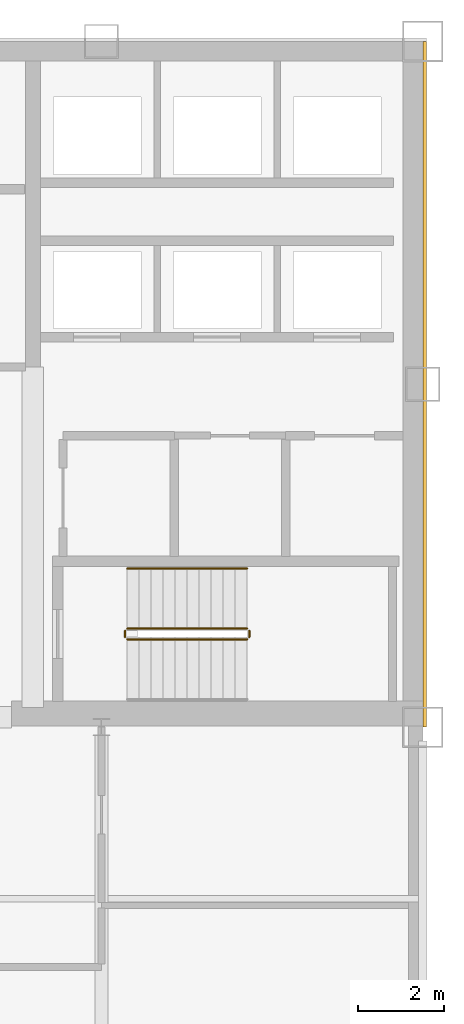
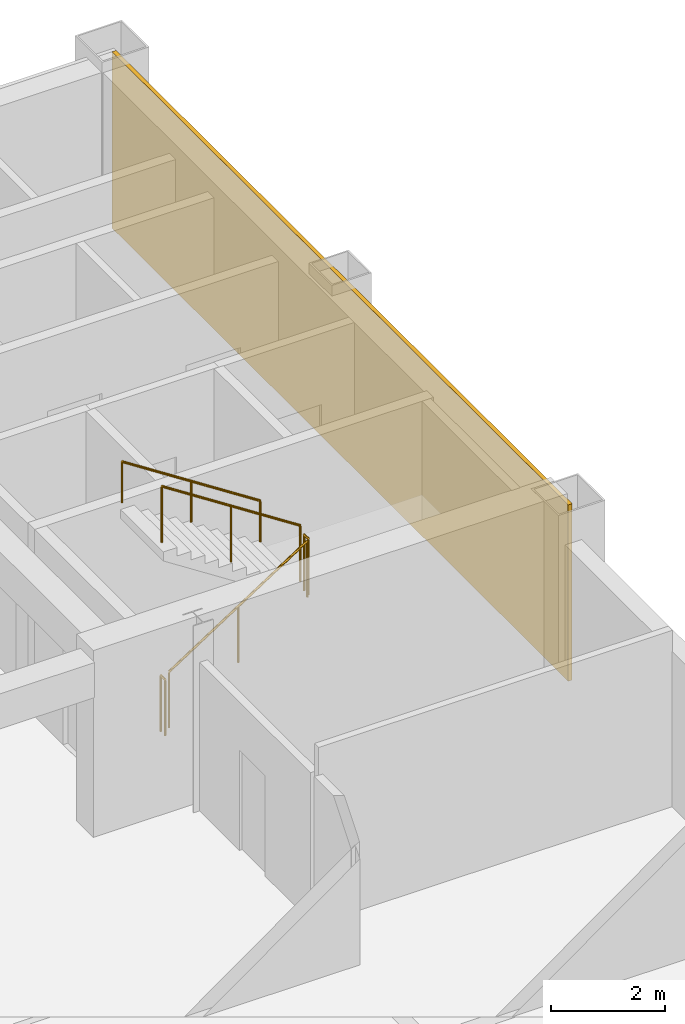
# One storey, part 9 of 11: 5 railings, 1 covering.
"""IFC4 building model written with IfcOpenShell, lengths in metres."""

import ifcopenshell
import ifcopenshell.guid

model = None  # the IFC model being written
_history = None  # IfcOwnerHistory: only IFC2X3 demands one
_inside = {}  # id of a spatial element -> (the spatial element, [elements in it])
_under = {}  # id of a project, library or spatial element -> (it, [spatial elements below it])
_declared = {}  # id of a project -> (the project, [libraries it declares])
_typed = {}  # id of a type object -> (the type object, [elements of that type])
_made_of = {}  # id of a material, layer set ... -> (it, [elements and type objects made of it])


def new_model(schema):
    """Start an empty IFC model of exactly this schema.

    Asked for "IFC4X3", IfcOpenShell would pick the latest addendum, in which some entities
    have other attributes; the version numbers below select the first issue.
    IFC2X3 requires an IfcOwnerHistory on every rooted entity: one is made here for all.
    """
    global model, _history
    if schema == "IFC4X3":
        model = ifcopenshell.file(schema_version=(4, 3, 0, 0))
    else:
        model = ifcopenshell.file(schema=schema)
    _inside.clear()
    _under.clear()
    _declared.clear()
    _typed.clear()
    _made_of.clear()
    _history = None
    if model.schema == "IFC2X3":
        org = make("IfcOrganization", Name="unknown")
        user = make(
            "IfcPersonAndOrganization",
            ThePerson=make("IfcPerson", FamilyName="unknown"),
            TheOrganization=org,
        )
        app = make(
            "IfcApplication",
            ApplicationDeveloper=org,
            Version="unknown",
            ApplicationFullName="unknown",
            ApplicationIdentifier="unknown",
        )
        _history = make(
            "IfcOwnerHistory",
            OwningUser=user,
            OwningApplication=app,
            ChangeAction="ADDED",
            CreationDate=0,
        )
    return model


def make(cls, **values):
    """One entity of the class cls with the attributes given. An attribute that is None is left unset."""
    return model.create_entity(
        cls, **{name: value for name, value in values.items() if value is not None}
    )


def rooted(cls, **values):
    """An entity with a GlobalId (a new one), such as an element, a storey or a relation."""
    return make(cls, GlobalId=ifcopenshell.guid.new(), OwnerHistory=_history, **values)


def si_unit(unit_type, name, prefix=None):
    """IfcSIUnit, for example si_unit("LENGTHUNIT", "METRE", prefix="MILLI")."""
    return make("IfcSIUnit", UnitType=unit_type, Prefix=prefix, Name=name)


def assignment(units):
    """IfcUnitAssignment: the units of a project."""
    return None if units is None else make("IfcUnitAssignment", Units=units)


def point(xyz):
    """IfcCartesianPoint."""
    return None if xyz is None else make("IfcCartesianPoint", Coordinates=xyz)


def direction(xyz):
    """IfcDirection."""
    return None if xyz is None else make("IfcDirection", DirectionRatios=xyz)


def frame(location, z_axis=None, x_axis=None):
    """IfcAxis2Placement3D, a coordinate frame: its origin and axes. An axis left out is left unset."""
    return make(
        "IfcAxis2Placement3D",
        Location=point(location),
        Axis=direction(z_axis),
        RefDirection=direction(x_axis),
    )


def frame_2d(location, x_axis=None):
    """IfcAxis2Placement2D, a coordinate frame in the plane: its origin and x axis."""
    return make(
        "IfcAxis2Placement2D", Location=point(location), RefDirection=direction(x_axis)
    )


def origin():
    """The frame at (0, 0, 0) with its axes left unset."""
    return frame((0.0, 0.0, 0.0))


def origin_2d():
    """The frame at (0, 0) in the plane with its x axis left unset."""
    return frame_2d((0.0, 0.0))


def place(relative_to, where):
    """IfcLocalPlacement: puts the frame where relative to a parent placement (None: the world)."""
    return make(
        "IfcLocalPlacement", PlacementRelTo=relative_to, RelativePlacement=where
    )


def context(
    kind, dimensions, precision=None, world=None, true_north=None, identifier=None
):
    """IfcGeometricRepresentationContext, for example the 3D "Model" context."""
    return make(
        "IfcGeometricRepresentationContext",
        ContextIdentifier=identifier,
        ContextType=kind,
        CoordinateSpaceDimension=dimensions,
        Precision=precision,
        WorldCoordinateSystem=world,
        TrueNorth=true_north,
    )


def subcontext(parent, identifier, kind, view, scale=None):
    """IfcGeometricRepresentationSubContext, for example "Body" below "Model"."""
    return make(
        "IfcGeometricRepresentationSubContext",
        ContextIdentifier=identifier,
        ContextType=kind,
        ParentContext=parent,
        TargetScale=scale,
        TargetView=view,
    )


def project(units=None, contexts=None):
    """IfcProject with its units and contexts."""
    return rooted(
        "IfcProject",
        Name="project",
        RepresentationContexts=contexts,
        UnitsInContext=assignment(units),
    )


def spatial(cls, under=None, at=None, **own):
    """A site, building, storey or space (cls), placed at a placement, below another one or the project."""
    s = rooted(cls, ObjectPlacement=at, **own)
    if under is not None:
        _under.setdefault(under.id(), (under, []))[1].append(s)
    return s


def profile(cls, at=None, kind="AREA", **sizes):
    """A parametric profile (cls). Its sizes go by their IFC names, for example OverallWidth=200.0."""
    return make(cls, ProfileType=kind, Position=at, **sizes)


def rectangle(**sizes):
    """IfcRectangleProfileDef."""
    return profile("IfcRectangleProfileDef", **sizes)


def circle(**sizes):
    """IfcCircleProfileDef."""
    return profile("IfcCircleProfileDef", **sizes)


def extrude(swept, where, along, depth):
    """IfcExtrudedAreaSolid: the profile swept, set in the frame where, extruded along a direction by depth."""
    return make(
        "IfcExtrudedAreaSolid",
        SweptArea=swept,
        Position=where,
        ExtrudedDirection=direction(along),
        Depth=depth,
    )


def shape(context_of_items, identifier, shape_type, items):
    """IfcShapeRepresentation: the items that make up one representation, for example the "Body"."""
    return make(
        "IfcShapeRepresentation",
        ContextOfItems=context_of_items,
        RepresentationIdentifier=identifier,
        RepresentationType=shape_type,
        Items=items,
    )


def material(Name=None, Category=None):
    """IfcMaterial."""
    return make("IfcMaterial", Name=Name, Category=Category)


def layer(
    of_material, thickness, ventilated=None, Name=None, Category=None, Priority=None
):
    """IfcMaterialLayer: one layer of a wall or slab, of a material (None: an air gap)."""
    return make(
        "IfcMaterialLayer",
        Material=of_material,
        LayerThickness=thickness,
        IsVentilated=ventilated,
        Name=Name,
        Category=Category,
        Priority=Priority,
    )


def layer_set(layers, Name=None):
    """IfcMaterialLayerSet."""
    return make("IfcMaterialLayerSet", MaterialLayers=layers, LayerSetName=Name)


def made_of(thing, what):
    """Note that an element or type object is made of a material, layer set ...; save() writes the relation."""
    if what is not None:
        _made_of.setdefault(what.id(), (what, []))[1].append(thing)
    return thing


def type_object(cls, material=None, **own):
    """A type object (cls), such as IfcWallType, which elements share."""
    return made_of(rooted(cls, **own), material)


def element(
    cls,
    number,
    at=None,
    inside=None,
    cuts=None,
    type_object=None,
    material=None,
    context=None,
    identifier="Body",
    shape_type=None,
    held_by="IfcProductDefinitionShape",
    body=None,
    shapes=None,
    **own,
):
    """One element of the class cls, such as IfcWall. Its Tag is "e" and its number.

    at: its placement. inside: the storey or other place that contains it. cuts: it is an
    opening in that element (IfcRelVoidsElement). A single representation is given by context,
    identifier, shape_type and body (its items); several are given by shapes. held_by: the class
    of the entity that holds the representations. save() writes the other relations.
    """
    e = rooted(cls, Tag="e%d" % number, ObjectPlacement=at, **own)
    if body is not None:
        shapes = [shape(context, identifier, shape_type, body)]
    if shapes is not None:
        e.Representation = make(held_by, Representations=shapes)
    if inside is not None:
        _inside.setdefault(inside.id(), (inside, []))[1].append(e)
    if cuts is not None:
        rooted(
            "IfcRelVoidsElement", RelatingBuildingElement=cuts, RelatedOpeningElement=e
        )
    if type_object is not None:
        _typed.setdefault(type_object.id(), (type_object, []))[1].append(e)
    return made_of(e, material)


def aggregate(whole, parts):
    """IfcRelAggregates: a whole, such as a stair, and the parts it consists of."""
    return rooted("IfcRelAggregates", RelatingObject=whole, RelatedObjects=parts)


def save(model, path):
    """Write the relations noted so far, then the file.

    IfcRelAggregates (storeys below a building ...), IfcRelContainedInSpatialStructure (elements
    in a storey), IfcRelDefinesByType, IfcRelAssociatesMaterial and IfcRelDeclares: one each for
    every whole, place, type object, material and project.
    """
    for whole, parts in _under.values():
        aggregate(whole, parts)
    for where, things in _inside.values():
        rooted(
            "IfcRelContainedInSpatialStructure",
            RelatedElements=things,
            RelatingStructure=where,
        )
    for kind, things in _typed.values():
        rooted("IfcRelDefinesByType", RelatedObjects=things, RelatingType=kind)
    for what, things in _made_of.values():
        rooted("IfcRelAssociatesMaterial", RelatedObjects=things, RelatingMaterial=what)
    for by, libraries in _declared.values():
        rooted("IfcRelDeclares", RelatingContext=by, RelatedDefinitions=libraries)
    model.write(path)


model = new_model("IFC4")

# Units and contexts
model_context = context("Model", 3, precision=1e-05, world=origin(), true_north=direction((0.0, 1.0)))
body_context = subcontext(model_context, "Body", "Model", "MODEL_VIEW")
ifc_project = project(units=[si_unit("LENGTHUNIT", "METRE"), si_unit("AREAUNIT", "SQUARE_METRE"), si_unit("VOLUMEUNIT", "CUBIC_METRE"), si_unit("PLANEANGLEUNIT", "RADIAN"), si_unit("MASSUNIT", "GRAM", prefix="KILO")], contexts=[model_context])

# Site, building, storey
site_placement = place(None, origin())
site = spatial("IfcSite", under=ifc_project, at=site_placement, CompositionType="ELEMENT")
building_placement = place(site_placement, origin())
building = spatial("IfcBuilding", under=site, at=building_placement, Name="Qianrong Seaharbour Tower", CompositionType="ELEMENT")
storey_placement = place(building_placement, frame((0.0, 0.0, 273.800048828125)))
storey = spatial("IfcBuildingStorey", under=building, at=storey_placement, Name="L66", CompositionType="ELEMENT", Elevation=273.800048828125)

# Covering
ifc_material_1 = material(Name="Unitised red brick cladding on Precast concrete C45/55", Category="masonry")
ifc_layer = layer(ifc_material_1, 0.080078125)
ifc_layer_set = layer_set([ifc_layer], Name="Unitised red brick cladding on Precast concrete C45/55")
covering_type = type_object("IfcCoveringType", Name="COV-CLAD-RED-BRICK-80", PredefinedType="CLADDING", material=ifc_layer_set)
covering_placement = place(storey_placement, frame((64.0400390625, 44.0, 0.0), z_axis=(0.0, 0.0, 1.0), x_axis=(1.0, 0.0, 0.0)))
element("IfcCovering", 1, at=covering_placement, inside=storey, type_object=covering_type, Name="L66 East Core Brick Veneer Cladding", PredefinedType="CLADDING", context=body_context, shape_type="SweptSolid", body=[
    extrude(rectangle(XDim=0.080078125, YDim=16.0, at=origin_2d()), origin(), (0.0, 0.0, 1.0), 3.77490234375),
])

# Railings
ifc_material_2 = material(Name="Galvanized painted steel SN400B stair guard", Category="steel")
railing_type_1 = type_object("IfcRailingType", Name="RAIL-STAIR-GUARD-1220", PredefinedType="GUARDRAIL", material=ifc_material_2)
railing_1_placement = place(storey_placement, frame((57.10009765625, 38.050048828125, 0.181884765625)))
element("IfcRailing", 2, at=railing_1_placement, inside=storey, type_object=railing_type_1, Name="L66 ST-2 stair guard 1", PredefinedType="GUARDRAIL", context=body_context, shape_type="SweptSolid", body=[
    extrude(circle(Radius=0.02392578125, at=origin_2d()), frame((0.0, 0.0, 1.19580078125), z_axis=(0.83868413941, 0.0, 0.544618136222), x_axis=(0.0, 1.0, 0.0)), (0.0, 0.0, 1.0), 3.33837890625),
    extrude(circle(Radius=0.02099609375, at=origin_2d()), origin(), (0.0, 0.0, 1.0), 1.171875),
    extrude(circle(Radius=0.02099609375, at=origin_2d()), frame((1.39990234375, 0.0, 0.9091796875)), (0.0, 0.0, 1.0), 1.171875),
    extrude(circle(Radius=0.02099609375, at=origin_2d()), frame((2.7998046875, 0.0, 1.818115234375)), (0.0, 0.0, 1.0), 1.171875),
])
railing_2_placement = place(storey_placement, frame((59.949951171875, 38.10009765625, 2.0)))
element("IfcRailing", 3, at=railing_2_placement, inside=storey, type_object=railing_type_1, Name="L66 ST-2 stair guard 2", PredefinedType="GUARDRAIL", context=body_context, shape_type="SweptSolid", body=[
    extrude(circle(Radius=0.02392578125, at=origin_2d()), frame((0.0, 0.0, 1.19580078125), z_axis=(0.0, 1.0, 0.0), x_axis=(-1.0, 0.0, 0.0)), (0.0, 0.0, 1.0), 0.14990234375),
    extrude(circle(Radius=0.02099609375, at=origin_2d()), origin(), (0.0, 0.0, 1.0), 1.171875),
    extrude(circle(Radius=0.02099609375, at=origin_2d()), frame((0.0, 0.14990234375, 0.0)), (0.0, 0.0, 1.0), 1.171875),
])
railing_3_placement = place(storey_placement, frame((59.89990234375, 38.300048828125, 2.181884765625)))
element("IfcRailing", 4, at=railing_3_placement, inside=storey, type_object=railing_type_1, Name="L66 ST-2 stair guard 3", PredefinedType="GUARDRAIL", context=body_context, shape_type="SweptSolid", body=[
    extrude(circle(Radius=0.02392578125, at=origin_2d()), frame((0.0, 0.0, 1.19580078125), z_axis=(-0.83868413941, 0.0, 0.544618136222), x_axis=(0.0, -1.0, 0.0)), (0.0, 0.0, 1.0), 3.33837890625),
    extrude(circle(Radius=0.02099609375, at=origin_2d()), origin(), (0.0, 0.0, 1.0), 1.171875),
    extrude(circle(Radius=0.02099609375, at=origin_2d()), frame((-1.39990234375, 0.0, 0.9091796875)), (0.0, 0.0, 1.0), 1.171875),
    extrude(circle(Radius=0.02099609375, at=origin_2d()), frame((-2.7998046875, 0.0, 1.818115234375)), (0.0, 0.0, 1.0), 1.171875),
])
railing_4_placement = place(storey_placement, frame((57.050048828125, 38.10009765625, 0.0)))
element("IfcRailing", 5, at=railing_4_placement, inside=storey, type_object=railing_type_1, Name="L66 ST-2 stair guard 4", PredefinedType="GUARDRAIL", context=body_context, shape_type="SweptSolid", body=[
    extrude(circle(Radius=0.02392578125, at=origin_2d()), frame((0.0, 0.0, 1.19580078125), z_axis=(0.0, 1.0, 0.0), x_axis=(-1.0, 0.0, 0.0)), (0.0, 0.0, 1.0), 0.14990234375),
    extrude(circle(Radius=0.02099609375, at=origin_2d()), origin(), (0.0, 0.0, 1.0), 1.171875),
    extrude(circle(Radius=0.02099609375, at=origin_2d()), frame((0.0, 0.14990234375, 0.0)), (0.0, 0.0, 1.0), 1.171875),
])
ifc_material_3 = material(Name="Stainless steel SUS316L continuous handrail", Category="steel")
railing_type_2 = type_object("IfcRailingType", Name="RAIL-STAIR-HANDRAIL-900", PredefinedType="HANDRAIL", material=ifc_material_3)
railing_5_placement = place(storey_placement, frame((59.89990234375, 39.699951171875, 2.181884765625)))
element("IfcRailing", 6, at=railing_5_placement, inside=storey, type_object=railing_type_2, Name="L66 ST-2 stair handrail 2", PredefinedType="HANDRAIL", context=body_context, shape_type="SweptSolid", body=[
    extrude(circle(Radius=0.02392578125, at=origin_2d()), frame((0.0, 0.0, 0.8759765625), z_axis=(-0.83868413941, 0.0, 0.544618136222), x_axis=(0.0, -1.0, 0.0)), (0.0, 0.0, 1.0), 3.33837890625),
    extrude(circle(Radius=0.02099609375, at=origin_2d()), origin(), (0.0, 0.0, 1.0), 0.851806640625),
    extrude(circle(Radius=0.02099609375, at=origin_2d()), frame((-1.39990234375, 0.0, 0.9091796875)), (0.0, 0.0, 1.0), 0.851806640625),
    extrude(circle(Radius=0.02099609375, at=origin_2d()), frame((-2.7998046875, 0.0, 1.818115234375)), (0.0, 0.0, 1.0), 0.851806640625),
])

save(model, "model.ifc")
